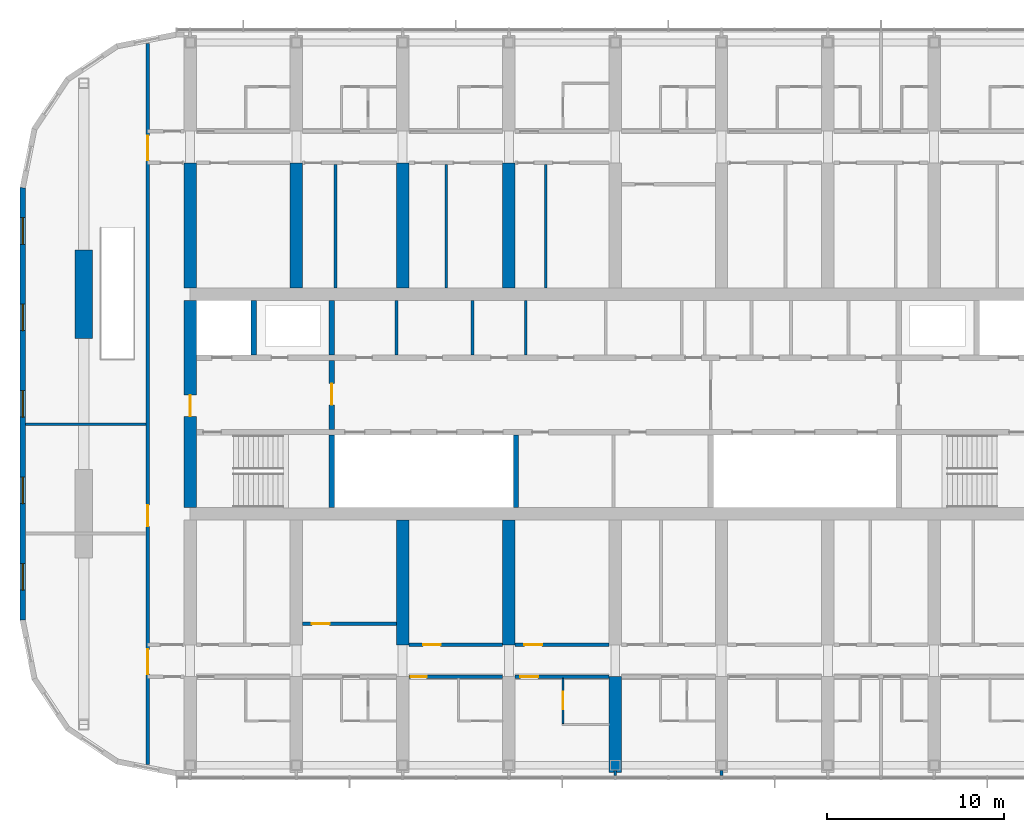
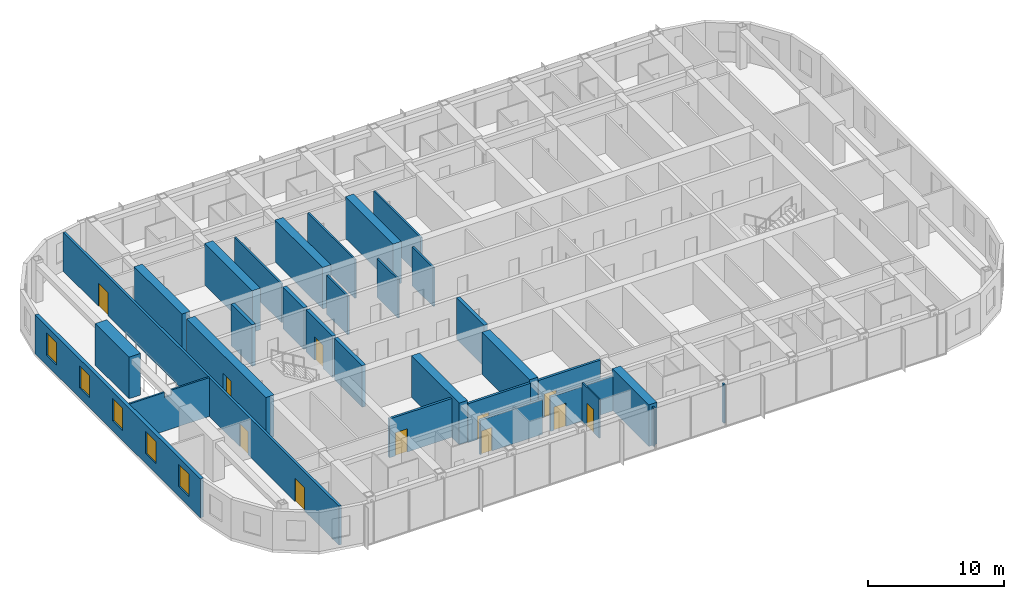
# One storey, part 11 of 23: 31 walls, 11 doors, 5 windows, 16 openings.
"""IFC4 building model written with IfcOpenShell, lengths in metres."""

from ifc_helpers import new_model, si_unit, direction, frame, frame_2d, origin, place, context, subcontext, project, spatial, polyline, rectangle, outline, extrude, material, layer, layer_set, type_object, element, fill, save


model = new_model("IFC4")

# Units and contexts
model_context = context("Model", 3, precision=1e-05, world=origin(), true_north=direction((0.0, 1.0)))
body_context = subcontext(model_context, "Body", "Model", "MODEL_VIEW")
ifc_project = project(units=[si_unit("LENGTHUNIT", "METRE"), si_unit("AREAUNIT", "SQUARE_METRE"), si_unit("VOLUMEUNIT", "CUBIC_METRE"), si_unit("PLANEANGLEUNIT", "RADIAN"), si_unit("MASSUNIT", "GRAM", prefix="KILO")], contexts=[model_context])

# Site, building, storey
site_placement = place(None, origin())
site = spatial("IfcSite", under=ifc_project, at=site_placement, CompositionType="ELEMENT")
building_placement = place(site_placement, origin())
building = spatial("IfcBuilding", under=site, at=building_placement, Name="Orbita Commons", CompositionType="ELEMENT")
storey_placement = place(building_placement, frame((0.0, 0.0, 220.300048828125)))
storey = spatial("IfcBuildingStorey", under=building, at=storey_placement, Name="L54", CompositionType="ELEMENT", Elevation=220.300048828125)

# Wall
ifc_material_1 = material(Name="Concrete C50/60", Category="concrete")
ifc_layer_1 = layer(ifc_material_1, 0.300048828125)
ifc_layer_set_1 = layer_set([ifc_layer_1], Name="Concrete C50/60")
wall_type_1 = type_object("IfcWallType", Name="Core inner wall 300 C50/60", PredefinedType="SHEAR", material=ifc_layer_set_1)
wall_1_placement = place(storey_placement, frame((26.0, 26.14990234375, 0.0), z_axis=(0.0, 0.0, 1.0), x_axis=(0.0, 1.0, 0.0)))
element("IfcWall", 1, at=wall_1_placement, inside=storey, type_object=wall_type_1, Name="Stair S1 wall L54", PredefinedType="SHEAR", context=body_context, shape_type="SweptSolid", body=[
    extrude(rectangle(XDim=4.10009765625, YDim=0.300048828125, at=frame_2d((2.050048828125, 0.0))), origin(), (0.0, 0.0, 1.0), 3.75),
])

# Wall, opening, door
wall_2_placement = place(storey_placement, frame((26.0, 30.550048828125, 0.0), z_axis=(0.0, 0.0, 1.0), x_axis=(0.0, 1.0, 0.0)))
wall_2 = element("IfcWall", 2, at=wall_2_placement, inside=storey, type_object=wall_type_1, Name="Firefighting lobby wall west L54", PredefinedType="SHEAR", context=body_context, shape_type="SweptSolid", body=[
    extrude(rectangle(XDim=3.89990234375, YDim=0.300048828125, at=frame_2d((1.949951171875, 0.0))), origin(), (0.0, 0.0, 1.0), 3.75),
])
opening_1_placement = place(wall_2_placement, frame((1.39990234375, 0.0, 0.0)))
opening_1 = element("IfcOpeningElement", 3, at=opening_1_placement, cuts=wall_2, Name="Opening D04", PredefinedType="OPENING", context=body_context, shape_type="SweptSolid", body=[
    extrude(rectangle(XDim=1.199951171875, YDim=2.10009765625, at=frame_2d((0.60009765625, 1.050048828125))), frame((0.0, 0.159912109375, 0.0), z_axis=(0.0, -1.0, 0.0), x_axis=(1.0, 0.0, 0.0)), (0.0, 0.0, 1.0), 0.320068359375),
])
ifc_material_2 = material(Name="Steel-faced fire door leaf", Category="steel")
door_type_1 = type_object("IfcDoorType", Name="Service door 20 min 1200x2100", OperationType="SINGLE_SWING_LEFT", PredefinedType="DOOR", material=ifc_material_2)
door_1_placement = place(opening_1_placement, origin())
door_1 = element("IfcDoor", 4, at=door_1_placement, inside=storey, type_object=door_type_1, Name="Lift lobby door west", OperationType="SINGLE_SWING_LEFT", OverallHeight=2.10009765625, OverallWidth=1.199951171875, PredefinedType="DOOR", context=body_context, shape_type="SweptSolid", body=[
    extrude(rectangle(XDim=1.199951171875, YDim=2.10009765625, at=frame_2d((0.60009765625, 1.050048828125))), frame((0.0, 0.02490234375, 0.0), z_axis=(0.0, -1.0, 0.0), x_axis=(1.0, 0.0, 0.0)), (0.0, 0.0, 1.0), 0.050048828125),
])
fill(opening_1, door_1)

# Walls
for number, where, z_axis, x_axis, name in (
    (5, (21.60009765625, 34.75, 0.0), (0.0, 0.0, 1.0), (0.0, 1.0, 0.0), "Firefighting lift FL1 shaft wall L54"),
    (6, (26.0, 34.75, 0.0), (0.0, 0.0, 1.0), (0.0, 1.0, 0.0), "Riser wall west L54"),
):
    element("IfcWall", number, at=place(storey_placement, frame(where, z_axis=z_axis, x_axis=x_axis)), inside=storey, type_object=wall_type_1, Name=name, PredefinedType="SHEAR", context=body_context, shape_type="SweptSolid", body=[
        extrude(rectangle(XDim=3.10009765625, YDim=0.300048828125, at=frame_2d((1.550048828125, 0.0))), origin(), (0.0, 0.0, 1.0), 3.75),
    ])
wall_3_placement = place(storey_placement, frame((36.39990234375, 26.14990234375, 0.0), z_axis=(0.0, 0.0, 1.0), x_axis=(0.0, 1.0, 0.0)))
element("IfcWall", 7, at=wall_3_placement, inside=storey, type_object=wall_type_1, Name="Hoistway division wall L54", PredefinedType="SHEAR", context=body_context, shape_type="SweptSolid", body=[
    extrude(rectangle(XDim=4.10009765625, YDim=0.300048828125, at=frame_2d((2.050048828125, 0.0))), origin(), (0.0, 0.0, 1.0), 3.75),
])
ifc_material_3 = material(Name="Concrete blockwork", Category="masonry")
ifc_layer_2 = layer(ifc_material_3, 0.14990234375)
ifc_layer_set_2 = layer_set([ifc_layer_2], Name="Concrete blockwork")
wall_type_2 = type_object("IfcWallType", Name="Core partition 150 blockwork", PredefinedType="SOLIDWALL", material=ifc_layer_set_2)
for number, where, z_axis, x_axis, name in (
    (8, (29.65087890625, 34.75, 0.0), (0.0, 0.0, 1.0), (0.0, 1.0, 0.0), "Core partition 150 blockwork L54"),
    (9, (33.9462890625, 34.75, 0.0), (0.0, 0.0, 1.0), (0.0, 1.0, 0.0), "Core partition 150 blockwork L54"),
    (10, (36.9462890625, 34.75, 0.0), (0.0, 0.0, 1.0), (0.0, 1.0, 0.0), "Core partition 150 blockwork L54"),
):
    element("IfcWall", number, at=place(storey_placement, frame(where, z_axis=z_axis, x_axis=x_axis)), inside=storey, type_object=wall_type_2, Name=name, PredefinedType="SOLIDWALL", context=body_context, shape_type="SweptSolid", body=[
        extrude(rectangle(XDim=3.10009765625, YDim=0.14990234375, at=frame_2d((1.550048828125, 0.0))), origin(), (0.0, 0.0, 1.0), 3.5),
    ])

# Wall, opening, door
ifc_material_4 = material(Name="Concrete C50/60", Category="concrete")
ifc_layer_3 = layer(ifc_material_4, 0.699951171875)
ifc_layer_set_3 = layer_set([ifc_layer_3], Name="Concrete C50/60")
wall_type_3 = type_object("IfcWallType", Name="Core wall 700 C50/60", PredefinedType="SHEAR", material=ifc_layer_set_3)
wall_4_placement = place(storey_placement, frame((18.0, 26.14990234375, 0.0), z_axis=(0.0, 0.0, 1.0), x_axis=(0.0, 1.0, 0.0)))
wall_4 = element("IfcWall", 11, at=wall_4_placement, inside=storey, type_object=wall_type_3, Name="Core end wall west L54", PredefinedType="SHEAR", context=body_context, shape_type="SweptSolid", body=[
    extrude(rectangle(XDim=11.7001953125, YDim=0.699951171875, at=frame_2d((5.85009765625, 0.0))), origin(), (0.0, 0.0, 1.0), 3.75),
])
opening_2_placement = place(wall_4_placement, frame((5.14990234375, 0.0, 0.0)))
opening_2 = element("IfcOpeningElement", 12, at=opening_2_placement, cuts=wall_4, Name="Opening D01", PredefinedType="OPENING", context=body_context, shape_type="SweptSolid", body=[
    extrude(rectangle(XDim=1.199951171875, YDim=2.10009765625, at=frame_2d((0.60009765625, 1.050048828125))), frame((0.0, 0.35986328125, 0.0), z_axis=(0.0, -1.0, 0.0), x_axis=(1.0, 0.0, 0.0)), (0.0, 0.0, 1.0), 0.719970703125),
])
ifc_material_5 = material(Name="Steel-faced fire door leaf", Category="steel")
door_type_2 = type_object("IfcDoorType", Name="Fire door 90 min 1200x2100", OperationType="SINGLE_SWING_LEFT", PredefinedType="DOOR", material=ifc_material_5)
door_2_placement = place(opening_2_placement, origin())
door_2 = element("IfcDoor", 13, at=door_2_placement, inside=storey, type_object=door_type_2, Name="Firefighting lobby west door", OperationType="SINGLE_SWING_LEFT", OverallHeight=2.10009765625, OverallWidth=1.199951171875, PredefinedType="DOOR", context=body_context, shape_type="SweptSolid", body=[
    extrude(rectangle(XDim=1.199951171875, YDim=2.10009765625, at=frame_2d((0.60009765625, 1.050048828125))), frame((0.0, 0.02490234375, 0.0), z_axis=(0.0, -1.0, 0.0), x_axis=(1.0, 0.0, 0.0)), (0.0, 0.0, 1.0), 0.050048828125),
])
fill(opening_2, door_2)

ifc_material_6 = material(Name="Concrete blockwork", Category="masonry")
ifc_layer_4 = layer(ifc_material_6, 0.199951171875)
ifc_layer_set_4 = layer_set([ifc_layer_4], Name="Concrete blockwork")
wall_type_4 = type_object("IfcWallType", Name="Corridor wall 200 blockwork", PredefinedType="SOLIDWALL", material=ifc_layer_set_4)
wall_5_placement = place(storey_placement, frame((30.35009765625, 16.60009765625, 0.0), z_axis=(0.0, 0.0, 1.0), x_axis=(1.0, 0.0, 0.0)))
wall_5 = element("IfcWall", 14, at=wall_5_placement, inside=storey, type_object=wall_type_4, Name="Corridor wall 200 blockwork L54", PredefinedType="SOLIDWALL", context=body_context, shape_type="SweptSolid", body=[
    extrude(outline(polyline([(0.0, 0.0), (5.2998046875, 0.0), (5.300048828125, 3.099853515625), (0.0, 3.099853515625), (0.0, 0.0)])), frame((0.0, 0.10009765625, 0.0), z_axis=(0.0, -1.0, 0.0), x_axis=(1.0, 0.0, 0.0)), (0.0, 0.0, 1.0), 0.199951171875),
])
opening_3_placement = place(wall_5_placement, frame((0.10009765625, 0.0, 0.0)))
opening_3 = element("IfcOpeningElement", 15, at=opening_3_placement, cuts=wall_5, Name="Opening D11", PredefinedType="OPENING", context=body_context, shape_type="SweptSolid", body=[
    extrude(rectangle(XDim=0.89990234375, YDim=2.10009765625, at=frame_2d((0.449951171875, 1.050048828125))), frame((0.0, 0.10986328125, 0.0), z_axis=(0.0, -1.0, 0.0), x_axis=(1.0, 0.0, 0.0)), (0.0, 0.0, 1.0), 0.219970703125),
])
ifc_material_7 = material(Name="Steel-faced fire door leaf", Category="steel")
door_type_3 = type_object("IfcDoorType", Name="Corridor door 20 min 900x2100", OperationType="SINGLE_SWING_LEFT", PredefinedType="DOOR", material=ifc_material_7)
door_3_placement = place(opening_3_placement, origin())
door_3 = element("IfcDoor", 16, at=door_3_placement, inside=storey, type_object=door_type_3, Name="Studio apartment with kitchenette L54-S04 door", OperationType="SINGLE_SWING_LEFT", OverallHeight=2.10009765625, OverallWidth=0.89990234375, PredefinedType="DOOR", context=body_context, shape_type="SweptSolid", body=[
    extrude(rectangle(XDim=0.89990234375, YDim=2.10009765625, at=frame_2d((0.449951171875, 1.050048828125))), frame((0.0, 0.02490234375, 0.0), z_axis=(0.0, -1.0, 0.0), x_axis=(1.0, 0.0, 0.0)), (0.0, 0.0, 1.0), 0.050048828125),
])
fill(opening_3, door_3)

wall_6_placement = place(storey_placement, frame((36.35009765625, 16.60009765625, 0.0), z_axis=(0.0, 0.0, 1.0), x_axis=(1.0, 0.0, 0.0)))
wall_6 = element("IfcWall", 17, at=wall_6_placement, inside=storey, type_object=wall_type_4, Name="Corridor wall 200 blockwork L54", PredefinedType="SOLIDWALL", context=body_context, shape_type="SweptSolid", body=[
    extrude(outline(polyline([(0.0, 0.0), (5.2998046875, 0.0), (5.300048828125, 3.099853515625), (0.0, 3.099853515625), (0.0, 0.0)])), frame((0.0, 0.10009765625, 0.0), z_axis=(0.0, -1.0, 0.0), x_axis=(1.0, 0.0, 0.0)), (0.0, 0.0, 1.0), 0.199951171875),
])
opening_4_placement = place(wall_6_placement, frame((0.300048828125, 0.0, 0.0)))
opening_4 = element("IfcOpeningElement", 18, at=opening_4_placement, cuts=wall_6, Name="Opening D06", PredefinedType="OPENING", context=body_context, shape_type="SweptSolid", body=[
    extrude(rectangle(XDim=1.0, YDim=2.10009765625, at=frame_2d((0.5, 1.050048828125))), frame((0.0, 0.10986328125, 0.0), z_axis=(0.0, -1.0, 0.0), x_axis=(1.0, 0.0, 0.0)), (0.0, 0.0, 1.0), 0.219970703125),
])
ifc_material_8 = material(Name="Steel-faced fire door leaf", Category="steel")
door_type_4 = type_object("IfcDoorType", Name="Corridor door 20 min 1000x2100", OperationType="SINGLE_SWING_LEFT", PredefinedType="DOOR", material=ifc_material_8)
door_4_placement = place(opening_4_placement, origin())
door_4 = element("IfcDoor", 19, at=door_4_placement, inside=storey, type_object=door_type_4, Name="Accessible bedroom L54-S06 door", OperationType="SINGLE_SWING_LEFT", OverallHeight=2.10009765625, OverallWidth=1.0, PredefinedType="DOOR", context=body_context, shape_type="SweptSolid", body=[
    extrude(rectangle(XDim=1.0, YDim=2.10009765625, at=frame_2d((0.5, 1.050048828125))), frame((0.0, 0.02490234375, 0.0), z_axis=(0.0, -1.0, 0.0), x_axis=(1.0, 0.0, 0.0)), (0.0, 0.0, 1.0), 0.050048828125),
])
fill(opening_4, door_4)

# Wall, openings, doors
wall_7_placement = place(storey_placement, frame((15.60009765625, 11.646240234375, 0.0), z_axis=(0.0, 0.0, 1.0), x_axis=(0.0, 1.0, 0.0)))
wall_7 = element("IfcWall", 20, at=wall_7_placement, inside=storey, type_object=wall_type_4, Name="Corridor wall 200 blockwork L54", PredefinedType="SOLIDWALL", context=body_context, shape_type="SweptSolid", body=[
    extrude(rectangle(XDim=40.70751953125, YDim=0.199951171875, at=frame_2d((20.353759765625, 0.0))), origin(), (0.0, 0.0, 1.0), 3.5),
])
opening_5_placement = place(wall_7_placement, frame((13.433837890625, 0.0, 0.0)))
opening_5 = element("IfcOpeningElement", 21, at=opening_5_placement, cuts=wall_7, Name="Opening D15", PredefinedType="OPENING", context=body_context, shape_type="SweptSolid", body=[
    extrude(rectangle(XDim=1.199951171875, YDim=2.10009765625, at=frame_2d((0.60009765625, 1.050048828125))), frame((0.0, 0.10986328125, 0.0), z_axis=(0.0, -1.0, 0.0), x_axis=(1.0, 0.0, 0.0)), (0.0, 0.0, 1.0), 0.219970703125),
])
opening_6_placement = place(wall_7_placement, frame((5.103759765625, 0.0, 0.0)))
opening_6 = element("IfcOpeningElement", 22, at=opening_6_placement, cuts=wall_7, Name="Opening D08", PredefinedType="OPENING", context=body_context, shape_type="SweptSolid", body=[
    extrude(rectangle(XDim=1.39990234375, YDim=2.10009765625, at=frame_2d((0.699951171875, 1.050048828125))), frame((0.0, 0.10986328125, 0.0), z_axis=(0.0, -1.0, 0.0), x_axis=(1.0, 0.0, 0.0)), (0.0, 0.0, 1.0), 0.219970703125),
])
opening_7_placement = place(wall_7_placement, frame((34.103759765625, 0.0, 0.0)))
opening_7 = element("IfcOpeningElement", 23, at=opening_7_placement, cuts=wall_7, Name="Opening D08", PredefinedType="OPENING", context=body_context, shape_type="SweptSolid", body=[
    extrude(rectangle(XDim=1.39990234375, YDim=2.10009765625, at=frame_2d((0.699951171875, 1.050048828125))), frame((0.0, 0.10986328125, 0.0), z_axis=(0.0, -1.0, 0.0), x_axis=(1.0, 0.0, 0.0)), (0.0, 0.0, 1.0), 0.219970703125),
])
ifc_material_9 = material(Name="Steel-faced fire door leaf", Category="steel")
door_type_5 = type_object("IfcDoorType", Name="Corridor door 20 min 1200x2100", OperationType="SINGLE_SWING_LEFT", PredefinedType="DOOR", material=ifc_material_9)
door_5_placement = place(opening_5_placement, origin())
door_5 = element("IfcDoor", 24, at=door_5_placement, inside=storey, type_object=door_type_5, Name="Study hall door", OperationType="SINGLE_SWING_LEFT", OverallHeight=2.10009765625, OverallWidth=1.199951171875, PredefinedType="DOOR", context=body_context, shape_type="SweptSolid", body=[
    extrude(rectangle(XDim=1.199951171875, YDim=2.10009765625, at=frame_2d((0.60009765625, 1.050048828125))), frame((0.0, 0.02490234375, 0.0), z_axis=(0.0, -1.0, 0.0), x_axis=(1.0, 0.0, 0.0)), (0.0, 0.0, 1.0), 0.050048828125),
])
fill(opening_5, door_5)
ifc_material_10 = material(Name="Steel-faced fire door leaf", Category="steel")
door_type_6 = type_object("IfcDoorType", Name="Double corridor door 20 min 1400x2100", OperationType="DOUBLE_DOOR_SINGLE_SWING", PredefinedType="DOOR", material=ifc_material_10)
door_6_placement = place(opening_6_placement, origin())
door_6 = element("IfcDoor", 25, at=door_6_placement, inside=storey, type_object=door_type_6, Name="Lounge doors", OperationType="DOUBLE_DOOR_SINGLE_SWING", OverallHeight=2.10009765625, OverallWidth=1.39990234375, PredefinedType="DOOR", context=body_context, shape_type="SweptSolid", body=[
    extrude(rectangle(XDim=1.39990234375, YDim=2.10009765625, at=frame_2d((0.699951171875, 1.050048828125))), frame((0.0, 0.02490234375, 0.0), z_axis=(0.0, -1.0, 0.0), x_axis=(1.0, 0.0, 0.0)), (0.0, 0.0, 1.0), 0.050048828125),
])
fill(opening_6, door_6)
door_7_placement = place(opening_7_placement, origin())
door_7 = element("IfcDoor", 26, at=door_7_placement, inside=storey, type_object=door_type_6, Name="Lounge doors", OperationType="DOUBLE_DOOR_SINGLE_SWING", OverallHeight=2.10009765625, OverallWidth=1.39990234375, PredefinedType="DOOR", context=body_context, shape_type="SweptSolid", body=[
    extrude(rectangle(XDim=1.39990234375, YDim=2.10009765625, at=frame_2d((0.699951171875, 1.050048828125))), frame((0.0, 0.02490234375, 0.0), z_axis=(0.0, -1.0, 0.0), x_axis=(1.0, 0.0, 0.0)), (0.0, 0.0, 1.0), 0.050048828125),
])
fill(opening_7, door_7)

# Wall, opening, door
ifc_material_11 = material(Name="Hollow concrete block 200", Category="concrete")
ifc_layer_5 = layer(ifc_material_11, 0.199951171875)
ifc_layer_set_5 = layer_set([ifc_layer_5], Name="Hollow concrete block 200")
wall_type_5 = type_object("IfcWallType", Name="Corridor wall 200 hollow concrete block", PredefinedType="SOLIDWALL", material=ifc_layer_set_5)
wall_8_placement = place(storey_placement, frame((30.35009765625, 18.39990234375, 0.0), z_axis=(0.0, 0.0, 1.0), x_axis=(1.0, 0.0, 0.0)))
wall_8 = element("IfcWall", 27, at=wall_8_placement, inside=storey, type_object=wall_type_5, Name="Corridor wall 200 hollow concrete block L54", PredefinedType="SOLIDWALL", context=body_context, shape_type="SweptSolid", body=[
    extrude(rectangle(XDim=5.2998046875, YDim=0.199951171875, at=frame_2d((2.64990234375, 0.0))), origin(), (0.0, 0.0, 1.0), 3.5),
])
opening_8_placement = place(wall_8_placement, frame((0.800048828125, 0.0, 0.0)))
opening_8 = element("IfcOpeningElement", 28, at=opening_8_placement, cuts=wall_8, Name="Opening D06", PredefinedType="OPENING", context=body_context, shape_type="SweptSolid", body=[
    extrude(rectangle(XDim=1.0, YDim=2.10009765625, at=frame_2d((0.5, 1.050048828125))), frame((0.0, 0.10986328125, 0.0), z_axis=(0.0, -1.0, 0.0), x_axis=(1.0, 0.0, 0.0)), (0.0, 0.0, 1.0), 0.219970703125),
])
door_8_placement = place(opening_8_placement, origin())
door_8 = element("IfcDoor", 29, at=door_8_placement, inside=storey, type_object=door_type_4, Name="Linen store L54-BDS30 door", OperationType="SINGLE_SWING_LEFT", OverallHeight=2.10009765625, OverallWidth=1.0, PredefinedType="DOOR", context=body_context, shape_type="SweptSolid", body=[
    extrude(rectangle(XDim=1.0, YDim=2.10009765625, at=frame_2d((0.5, 1.050048828125))), frame((0.0, 0.02490234375, 0.0), z_axis=(0.0, -1.0, 0.0), x_axis=(1.0, 0.0, 0.0)), (0.0, 0.0, 1.0), 0.050048828125),
])
fill(opening_8, door_8)

wall_9_placement = place(storey_placement, frame((36.35009765625, 18.39990234375, 0.0), z_axis=(0.0, 0.0, 1.0), x_axis=(1.0, 0.0, 0.0)))
wall_9 = element("IfcWall", 30, at=wall_9_placement, inside=storey, type_object=wall_type_5, Name="Corridor wall 200 hollow concrete block L54", PredefinedType="SOLIDWALL", context=body_context, shape_type="SweptSolid", body=[
    extrude(rectangle(XDim=5.2998046875, YDim=0.199951171875, at=frame_2d((2.64990234375, 0.0))), origin(), (0.0, 0.0, 1.0), 3.5),
])
opening_9_placement = place(wall_9_placement, frame((0.52490234375, 0.0, 0.0)))
opening_9 = element("IfcOpeningElement", 31, at=opening_9_placement, cuts=wall_9, Name="Opening D06", PredefinedType="OPENING", context=body_context, shape_type="SweptSolid", body=[
    extrude(rectangle(XDim=1.0, YDim=2.10009765625, at=frame_2d((0.5, 1.050048828125))), frame((0.0, 0.10986328125, 0.0), z_axis=(0.0, -1.0, 0.0), x_axis=(1.0, 0.0, 0.0)), (0.0, 0.0, 1.0), 0.219970703125),
])
door_9_placement = place(opening_9_placement, origin())
door_9 = element("IfcDoor", 32, at=door_9_placement, inside=storey, type_object=door_type_4, Name="Print and copy room L54-BDS36 door", OperationType="SINGLE_SWING_LEFT", OverallHeight=2.10009765625, OverallWidth=1.0, PredefinedType="DOOR", context=body_context, shape_type="SweptSolid", body=[
    extrude(rectangle(XDim=1.0, YDim=2.10009765625, at=frame_2d((0.5, 1.050048828125))), frame((0.0, 0.02490234375, 0.0), z_axis=(0.0, -1.0, 0.0), x_axis=(1.0, 0.0, 0.0)), (0.0, 0.0, 1.0), 0.050048828125),
])
fill(opening_9, door_9)

wall_10_placement = place(storey_placement, frame((24.35009765625, 19.60009765625, 0.0), z_axis=(0.0, 0.0, 1.0), x_axis=(1.0, 0.0, 0.0)))
wall_10 = element("IfcWall", 33, at=wall_10_placement, inside=storey, type_object=wall_type_5, Name="Corridor wall 200 hollow concrete block L54", PredefinedType="SOLIDWALL", context=body_context, shape_type="SweptSolid", body=[
    extrude(rectangle(XDim=5.2998046875, YDim=0.199951171875, at=frame_2d((2.64990234375, 0.0))), origin(), (0.0, 0.0, 1.0), 3.5),
])
opening_10_placement = place(wall_10_placement, frame((0.52490234375, 0.0, 0.0)))
opening_10 = element("IfcOpeningElement", 34, at=opening_10_placement, cuts=wall_10, Name="Opening D06", PredefinedType="OPENING", context=body_context, shape_type="SweptSolid", body=[
    extrude(rectangle(XDim=1.0, YDim=2.10009765625, at=frame_2d((0.5, 1.050048828125))), frame((0.0, 0.10986328125, 0.0), z_axis=(0.0, -1.0, 0.0), x_axis=(1.0, 0.0, 0.0)), (0.0, 0.0, 1.0), 0.219970703125),
])
door_10_placement = place(opening_10_placement, origin())
door_10 = element("IfcDoor", 35, at=door_10_placement, inside=storey, type_object=door_type_4, Name="Board room L54-BDS24 door", OperationType="SINGLE_SWING_LEFT", OverallHeight=2.10009765625, OverallWidth=1.0, PredefinedType="DOOR", context=body_context, shape_type="SweptSolid", body=[
    extrude(rectangle(XDim=1.0, YDim=2.10009765625, at=frame_2d((0.5, 1.050048828125))), frame((0.0, 0.02490234375, 0.0), z_axis=(0.0, -1.0, 0.0), x_axis=(1.0, 0.0, 0.0)), (0.0, 0.0, 1.0), 0.050048828125),
])
fill(opening_10, door_10)

# Walls
ifc_material_12 = material(Name="Concrete C50/60", Category="concrete")
ifc_layer_6 = layer(ifc_material_12, 0.699951171875)
ifc_layer_set_6 = layer_set([ifc_layer_6], Name="Concrete C50/60")
wall_type_6 = type_object("IfcWallType", Name="Cross wall 700 C50/60", PredefinedType="SHEAR", material=ifc_layer_set_6)
for number, where, z_axis, x_axis, name in (
    (36, (18.0, 38.550048828125, 0.0), (0.0, 0.0, 1.0), (0.0, 1.0, 0.0), "Cross wall 4 north inner L54"),
    (37, (24.0, 38.550048828125, 0.0), (0.0, 0.0, 1.0), (0.0, 1.0, 0.0), "Cross wall 5 north inner L54"),
    (38, (30.0, 18.39990234375, 0.0), (0.0, 0.0, 1.0), (0.0, 1.0, 0.0), "Cross wall 6 south inner L54"),
    (39, (30.0, 38.550048828125, 0.0), (0.0, 0.0, 1.0), (0.0, 1.0, 0.0), "Cross wall 6 north inner L54"),
    (40, (36.0, 18.39990234375, 0.0), (0.0, 0.0, 1.0), (0.0, 1.0, 0.0), "Cross wall 7 south inner L54"),
    (41, (36.0, 38.550048828125, 0.0), (0.0, 0.0, 1.0), (0.0, 1.0, 0.0), "Cross wall 7 north inner L54"),
):
    element("IfcWall", number, at=place(storey_placement, frame(where, z_axis=z_axis, x_axis=x_axis)), inside=storey, type_object=wall_type_6, Name=name, PredefinedType="SHEAR", context=body_context, shape_type="SweptSolid", body=[
        extrude(rectangle(XDim=7.050048828125, YDim=0.699951171875, at=frame_2d((3.52490234375, 0.0))), origin(), (0.0, 0.0, 1.0), 3.75),
    ])
wall_11_placement = place(storey_placement, frame((42.0, 11.199951171875, 0.0), z_axis=(0.0, 0.0, 1.0), x_axis=(0.0, 1.0, 0.0)))
element("IfcWall", 42, at=wall_11_placement, inside=storey, type_object=wall_type_6, Name="Cross wall 8 south outer L54", PredefinedType="SHEAR", context=body_context, shape_type="SweptSolid", body=[
    extrude(rectangle(XDim=5.400146484375, YDim=0.699951171875, at=frame_2d((2.7001953125, 0.0))), origin(), (0.0, 0.0, 1.0), 3.75),
])

# Wall, opening, door
ifc_material_13 = material(Name="Moisture-resistant plasterboard on steel studs", Category="steel")
ifc_layer_7 = layer(ifc_material_13, 0.10009765625)
ifc_layer_set_7 = layer_set([ifc_layer_7], Name="Moisture-resistant plasterboard on steel studs")
wall_type_7 = type_object("IfcWallType", Name="En-suite partition 100", PredefinedType="PARTITIONING", material=ifc_layer_set_7)
wall_12_placement = place(storey_placement, frame((39.050048828125, 13.949951171875, 0.0), z_axis=(0.0, 0.0, 1.0), x_axis=(0.0, 1.0, 0.0)))
wall_12 = element("IfcWall", 43, at=wall_12_placement, inside=storey, type_object=wall_type_7, Name="En-suite partition 100 L54", PredefinedType="PARTITIONING", context=body_context, shape_type="SweptSolid", body=[
    extrude(outline(polyline([(0.0, 0.0), (2.550048828125, 0.0), (2.550048828125, 3.099853515625), (2.501953125, 3.099853515625), (2.5, 3.5), (0.0, 3.5), (0.0, 0.0)])), frame((0.0, 0.050048828125, 0.0), z_axis=(0.0, -1.0, 0.0), x_axis=(1.0, 0.0, 0.0)), (0.0, 0.0, 1.0), 0.10009765625),
])
opening_11_placement = place(wall_12_placement, frame((0.800048828125, 0.0, 0.0)))
opening_11 = element("IfcOpeningElement", 44, at=opening_11_placement, cuts=wall_12, Name="Opening D13", PredefinedType="OPENING", context=body_context, shape_type="SweptSolid", body=[
    extrude(rectangle(XDim=1.0, YDim=2.10009765625, at=frame_2d((0.5, 1.050048828125))), frame((0.0, 0.06005859375, 0.0), z_axis=(0.0, -1.0, 0.0), x_axis=(1.0, 0.0, 0.0)), (0.0, 0.0, 1.0), 0.1201171875),
])
ifc_material_14 = material(Name="Laminated timber door leaf", Category="wood")
door_type_7 = type_object("IfcDoorType", Name="En-suite door 1000x2100", OperationType="SINGLE_SWING_RIGHT", PredefinedType="DOOR", material=ifc_material_14)
door_11_placement = place(opening_11_placement, origin())
door_11 = element("IfcDoor", 45, at=door_11_placement, inside=storey, type_object=door_type_7, Name="Accessible shower room L54-S06 door", OperationType="SINGLE_SWING_RIGHT", OverallHeight=2.10009765625, OverallWidth=1.0, PredefinedType="DOOR", context=body_context, shape_type="SweptSolid", body=[
    extrude(rectangle(XDim=1.0, YDim=2.10009765625, at=frame_2d((0.5, 1.050048828125))), frame((0.0, 0.02490234375, 0.0), z_axis=(0.0, -1.0, 0.0), x_axis=(1.0, 0.0, 0.0)), (0.0, 0.0, 1.0), 0.050048828125),
])
fill(opening_11, door_11)

# Walls
ifc_material_15 = material(Name="Concrete C50/60", Category="concrete")
ifc_layer_8 = layer(ifc_material_15, 1.0)
ifc_layer_set_8 = layer_set([ifc_layer_8], Name="Concrete C50/60")
wall_type_8 = type_object("IfcWallType", Name="End pier 1000x5000 C50/60", PredefinedType="SHEAR", material=ifc_layer_set_8)
wall_13_placement = place(storey_placement, frame((12.0, 35.699951171875, 0.0), z_axis=(0.0, 0.0, 1.0), x_axis=(0.0, 1.0, 0.0)))
element("IfcWall", 46, at=wall_13_placement, inside=storey, type_object=wall_type_8, Name="End pier 3/D L54", PredefinedType="SHEAR", context=body_context, shape_type="SweptSolid", body=[
    extrude(rectangle(XDim=5.0, YDim=1.0, at=frame_2d((2.5, 0.0))), origin(), (0.0, 0.0, 1.0), 3.75),
])
ifc_material_16 = material(Name="Gypsum plasterboard on steel studs", Category="steel")
ifc_layer_9 = layer(ifc_material_16, 0.14990234375)
ifc_layer_set_9 = layer_set([ifc_layer_9], Name="Gypsum plasterboard on steel studs")
wall_type_9 = type_object("IfcWallType", Name="Partition 150 plasterboard", PredefinedType="PARTITIONING", material=ifc_layer_set_9)
for number, where, z_axis, x_axis, name in (
    (47, (26.205078125, 38.550048828125, 0.0), (0.0, 0.0, 1.0), (0.0, 1.0, 0.0), "Partition 150 plasterboard L54"),
    (48, (32.4599609375, 38.550048828125, 0.0), (0.0, 0.0, 1.0), (0.0, 1.0, 0.0), "Partition 150 plasterboard L54"),
    (49, (38.074951171875, 38.550048828125, 0.0), (0.0, 0.0, 1.0), (0.0, 1.0, 0.0), "Partition 150 plasterboard L54"),
):
    element("IfcWall", number, at=place(storey_placement, frame(where, z_axis=z_axis, x_axis=x_axis)), inside=storey, type_object=wall_type_9, Name=name, PredefinedType="PARTITIONING", context=body_context, shape_type="SweptSolid", body=[
        extrude(rectangle(XDim=6.949951171875, YDim=0.14990234375, at=frame_2d((3.47509765625, 0.0))), origin(), (0.0, 0.0, 1.0), 3.5),
    ])
wall_14_placement = place(storey_placement, frame((8.705078125, 30.85009765625, 0.0), z_axis=(0.0, 0.0, 1.0), x_axis=(1.0, 0.0, 0.0)))
element("IfcWall", 50, at=wall_14_placement, inside=storey, type_object=wall_type_9, Name="Partition 150 plasterboard L54", PredefinedType="PARTITIONING", context=body_context, shape_type="SweptSolid", body=[
    extrude(outline(polyline([(0.0, 0.0), (6.81982421875, 0.0), (6.820068359375, 3.5), (3.596923828125, 3.5), (3.594970703125, 3.050048828125), (2.9970703125, 3.050048828125), (2.9951171875, 3.5), (0.0, 3.5), (0.0, 0.0)])), frame((0.0, 0.074951171875, 0.0), z_axis=(0.0, -1.0, 0.0), x_axis=(1.0, 0.0, 0.0)), (0.0, 0.0, 1.0), 0.14990234375),
])
for number, where, z_axis, x_axis, name in (
    (51, (42.0, 11.300048828125, 0.0), (0.0, 0.0, 1.0), (0.0, -1.0, 0.0), "Partition 150 plasterboard L54"),
    (52, (48.0, 11.300048828125, 0.0), (0.0, 0.0, 1.0), (0.0, -1.0, 0.0), "Partition 150 plasterboard L54"),
):
    element("IfcWall", number, at=place(storey_placement, frame(where, z_axis=z_axis, x_axis=x_axis)), inside=storey, type_object=wall_type_9, Name=name, PredefinedType="PARTITIONING", context=body_context, shape_type="SweptSolid", body=[
        extrude(rectangle(XDim=0.2900390625, YDim=0.14990234375, at=frame_2d((0.14501953125, 0.0))), origin(), (0.0, 0.0, 1.0), 3.5),
    ])

# Wall, openings, windows
ifc_material_17 = material(Name="Precast concrete C40/50, white board-marked finish", Category="concrete")
ifc_layer_10 = layer(ifc_material_17, 0.300048828125)
ifc_layer_set_10 = layer_set([ifc_layer_10], Name="Precast concrete C40/50, white board-marked finish")
wall_type_10 = type_object("IfcWallType", Name="Precast concrete end shield 300", PredefinedType="SOLIDWALL", material=ifc_layer_set_10)
wall_15_placement = place(storey_placement, frame((8.550048828125, 44.199951171875, 0.0), z_axis=(0.0, 0.0, 1.0), x_axis=(0.0, -1.0, 0.0)))
wall_15 = element("IfcWall", 53, at=wall_15_placement, inside=storey, type_object=wall_type_10, Name="End shield W L54", PredefinedType="SOLIDWALL", context=body_context, shape_type="SweptSolid", body=[
    extrude(outline(polyline([(-0.014892578125, -0.14990234375), (24.414794921875, -0.14990234375), (24.385009765625, 0.14990234375), (0.014892578125, 0.14990234375), (-0.014892578125, -0.14990234375)])), origin(), (0.0, 0.0, 1.0), 3.5),
])
opening_12_placement = place(wall_15_placement, frame((1.68994140625, 0.0, 0.89990234375)))
opening_12 = element("IfcOpeningElement", 54, at=opening_12_placement, cuts=wall_15, Name="Opening W01", PredefinedType="OPENING", context=body_context, shape_type="SweptSolid", body=[
    extrude(rectangle(XDim=1.5, YDim=2.0, at=frame_2d((0.75, 1.0))), frame((0.0, 0.159912109375, 0.0), z_axis=(0.0, -1.0, 0.0), x_axis=(1.0, 0.0, 0.0)), (0.0, 0.0, 1.0), 0.320068359375),
])
opening_13_placement = place(wall_15_placement, frame((6.570068359375, 0.0, 0.89990234375)))
opening_13 = element("IfcOpeningElement", 55, at=opening_13_placement, cuts=wall_15, Name="Opening W01", PredefinedType="OPENING", context=body_context, shape_type="SweptSolid", body=[
    extrude(rectangle(XDim=1.5, YDim=2.0, at=frame_2d((0.75, 1.0))), frame((0.0, 0.159912109375, 0.0), z_axis=(0.0, -1.0, 0.0), x_axis=(1.0, 0.0, 0.0)), (0.0, 0.0, 1.0), 0.320068359375),
])
opening_14_placement = place(wall_15_placement, frame((11.449951171875, 0.0, 0.89990234375)))
opening_14 = element("IfcOpeningElement", 56, at=opening_14_placement, cuts=wall_15, Name="Opening W01", PredefinedType="OPENING", context=body_context, shape_type="SweptSolid", body=[
    extrude(rectangle(XDim=1.5, YDim=2.0, at=frame_2d((0.75, 1.0))), frame((0.0, 0.159912109375, 0.0), z_axis=(0.0, -1.0, 0.0), x_axis=(1.0, 0.0, 0.0)), (0.0, 0.0, 1.0), 0.320068359375),
])
opening_15_placement = place(wall_15_placement, frame((16.330078125, 0.0, 0.89990234375)))
opening_15 = element("IfcOpeningElement", 57, at=opening_15_placement, cuts=wall_15, Name="Opening W01", PredefinedType="OPENING", context=body_context, shape_type="SweptSolid", body=[
    extrude(rectangle(XDim=1.5, YDim=2.0, at=frame_2d((0.75, 1.0))), frame((0.0, 0.159912109375, 0.0), z_axis=(0.0, -1.0, 0.0), x_axis=(1.0, 0.0, 0.0)), (0.0, 0.0, 1.0), 0.320068359375),
])
opening_16_placement = place(wall_15_placement, frame((21.2099609375, 0.0, 0.89990234375)))
opening_16 = element("IfcOpeningElement", 58, at=opening_16_placement, cuts=wall_15, Name="Opening W01", PredefinedType="OPENING", context=body_context, shape_type="SweptSolid", body=[
    extrude(rectangle(XDim=1.5, YDim=2.0, at=frame_2d((0.75, 1.0))), frame((0.0, 0.159912109375, 0.0), z_axis=(0.0, -1.0, 0.0), x_axis=(1.0, 0.0, 0.0)), (0.0, 0.0, 1.0), 0.320068359375),
])
ifc_material_18 = material(Name="Aluminium frame, clear double glazing", Category="aluminium")
window_type = type_object("IfcWindowType", Name="Deep-set window 1500x2000", PartitioningType="SINGLE_PANEL", PredefinedType="WINDOW", material=ifc_material_18)
window_1_placement = place(opening_12_placement, origin())
window_1 = element("IfcWindow", 59, at=window_1_placement, inside=storey, type_object=window_type, Name="Window L54-W 1", OverallHeight=2.0, OverallWidth=1.5, PartitioningType="SINGLE_PANEL", PredefinedType="WINDOW", context=body_context, shape_type="SweptSolid", body=[
    extrude(rectangle(XDim=1.5, YDim=2.0, at=frame_2d((0.75, 1.0))), frame((0.0, 0.030029296875, 0.0), z_axis=(0.0, -1.0, 0.0), x_axis=(1.0, 0.0, 0.0)), (0.0, 0.0, 1.0), 0.06005859375),
])
fill(opening_12, window_1)
window_2_placement = place(opening_13_placement, origin())
window_2 = element("IfcWindow", 60, at=window_2_placement, inside=storey, type_object=window_type, Name="Window L54-W 2", OverallHeight=2.0, OverallWidth=1.5, PartitioningType="SINGLE_PANEL", PredefinedType="WINDOW", context=body_context, shape_type="SweptSolid", body=[
    extrude(rectangle(XDim=1.5, YDim=2.0, at=frame_2d((0.75, 1.0))), frame((0.0, 0.030029296875, 0.0), z_axis=(0.0, -1.0, 0.0), x_axis=(1.0, 0.0, 0.0)), (0.0, 0.0, 1.0), 0.06005859375),
])
fill(opening_13, window_2)
window_3_placement = place(opening_14_placement, origin())
window_3 = element("IfcWindow", 61, at=window_3_placement, inside=storey, type_object=window_type, Name="Window L54-W 3", OverallHeight=2.0, OverallWidth=1.5, PartitioningType="SINGLE_PANEL", PredefinedType="WINDOW", context=body_context, shape_type="SweptSolid", body=[
    extrude(rectangle(XDim=1.5, YDim=2.0, at=frame_2d((0.75, 1.0))), frame((0.0, 0.030029296875, 0.0), z_axis=(0.0, -1.0, 0.0), x_axis=(1.0, 0.0, 0.0)), (0.0, 0.0, 1.0), 0.06005859375),
])
fill(opening_14, window_3)
window_4_placement = place(opening_15_placement, origin())
window_4 = element("IfcWindow", 62, at=window_4_placement, inside=storey, type_object=window_type, Name="Window L54-W 4", OverallHeight=2.0, OverallWidth=1.5, PartitioningType="SINGLE_PANEL", PredefinedType="WINDOW", context=body_context, shape_type="SweptSolid", body=[
    extrude(rectangle(XDim=1.5, YDim=2.0, at=frame_2d((0.75, 1.0))), frame((0.0, 0.030029296875, 0.0), z_axis=(0.0, -1.0, 0.0), x_axis=(1.0, 0.0, 0.0)), (0.0, 0.0, 1.0), 0.06005859375),
])
fill(opening_15, window_4)
window_5_placement = place(opening_16_placement, origin())
window_5 = element("IfcWindow", 63, at=window_5_placement, inside=storey, type_object=window_type, Name="Window L54-W 5", OverallHeight=2.0, OverallWidth=1.5, PartitioningType="SINGLE_PANEL", PredefinedType="WINDOW", context=body_context, shape_type="SweptSolid", body=[
    extrude(rectangle(XDim=1.5, YDim=2.0, at=frame_2d((0.75, 1.0))), frame((0.0, 0.030029296875, 0.0), z_axis=(0.0, -1.0, 0.0), x_axis=(1.0, 0.0, 0.0)), (0.0, 0.0, 1.0), 0.06005859375),
])
fill(opening_16, window_5)

save(model, "model.ifc")
